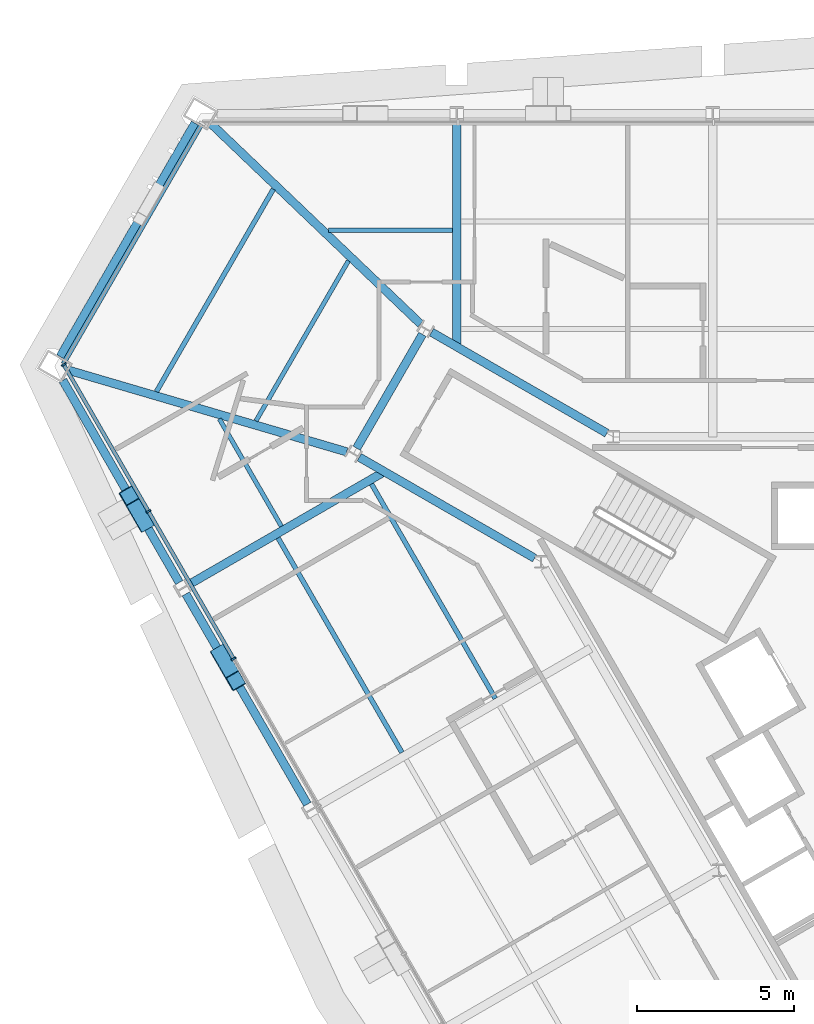
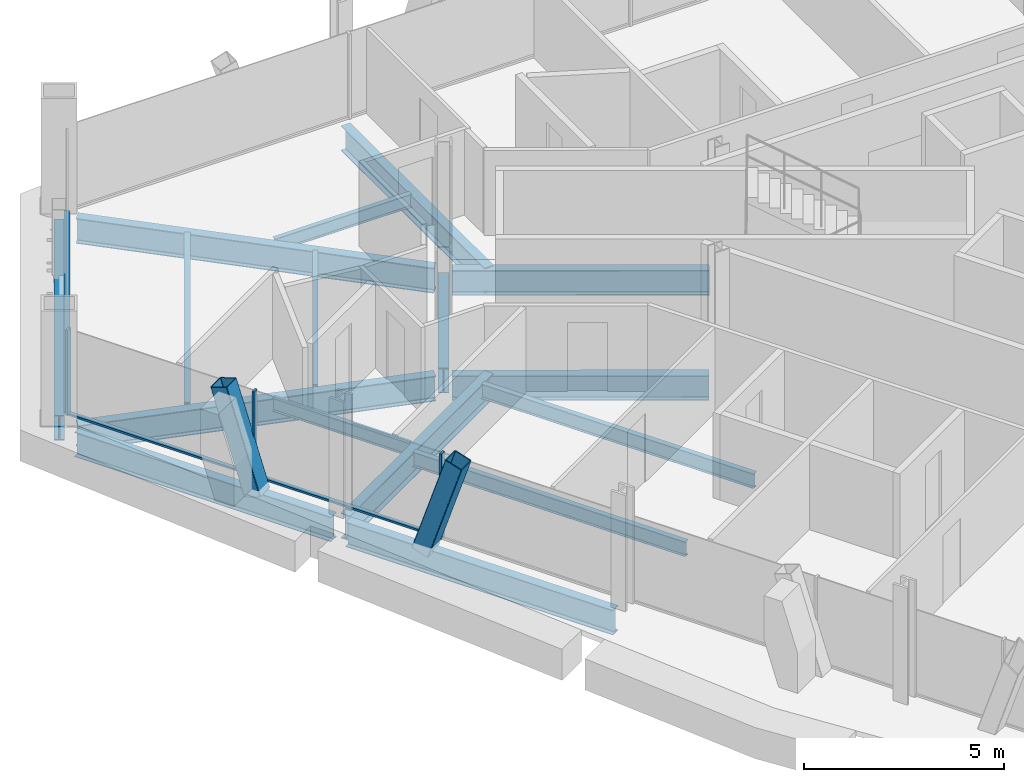
# One storey, part 7 of 19: 16 beams, 8 members, 2 elements without a shape of their own.
"""IFC4 building model written with IfcOpenShell, lengths in metres."""

from ifc_helpers import new_model, si_unit, direction, frame, origin, origin_2d, place, context, subcontext, project, spatial, rectangle, hollow_rectangle, i_section, extrude, material, material_profile, profile_set, type_object, element, aggregate, save


model = new_model("IFC4")

# Units and contexts
model_context = context("Model", 3, precision=1e-05, world=origin(), true_north=direction((0.0, 1.0)))
body_context = subcontext(model_context, "Body", "Model", "MODEL_VIEW")
ifc_project = project(units=[si_unit("LENGTHUNIT", "METRE"), si_unit("AREAUNIT", "SQUARE_METRE"), si_unit("VOLUMEUNIT", "CUBIC_METRE"), si_unit("PLANEANGLEUNIT", "RADIAN"), si_unit("MASSUNIT", "GRAM", prefix="KILO")], contexts=[model_context])

# Site, building, storey
site_placement = place(None, origin())
site = spatial("IfcSite", under=ifc_project, at=site_placement, CompositionType="ELEMENT")
building_placement = place(site_placement, origin())
building = spatial("IfcBuilding", under=site, at=building_placement, Name="Verrane Prism Tower", CompositionType="ELEMENT")
storey_placement = place(building_placement, frame((0.0, 0.0, 125.199951171875)))
storey = spatial("IfcBuildingStorey", under=building, at=storey_placement, Name="L30", CompositionType="ELEMENT", Elevation=125.199951171875)

# Beams
ifc_material_1 = material(Name="Steel A992", Category="steel")
ifc_material_profile_1 = material_profile(ifc_material_1, i_section(OverallWidth=0.2666015625, OverallDepth=0.76708984375, WebThickness=0.014892578125, FlangeThickness=0.023681640625, FilletRadius=0.0166015625, at=origin_2d()), Name="W30x124")
ifc_profile_set_1 = profile_set([ifc_material_profile_1], Name="Steel A992")
beam_type_1 = type_object("IfcBeamType", Name="Chamfer spandrel beam W30x124", PredefinedType="SPANDREL", material=ifc_profile_set_1)
beam_1_placement = place(storey_placement, frame((-24.64501953125, 19.18701171875, -0.54345703125), z_axis=(-0.499834903175, -0.866120701501, 0.0), x_axis=(0.866120701501, -0.499834903175, 0.0)))
element("IfcBeam", 1, at=beam_1_placement, inside=storey, type_object=beam_type_1, Name="Chamfer spandrel beam L30", PredefinedType="SPANDREL", context=body_context, shape_type="SweptSolid", body=[
    extrude(i_section(OverallWidth=0.2666015625, OverallDepth=0.76708984375, WebThickness=0.014892578125, FlangeThickness=0.023681640625, FilletRadius=0.0166015625, at=origin_2d()), origin(), (0.0, 0.0, 1.0), 8.5830078125),
])
ifc_material_2 = material(Name="Steel A992", Category="steel")
ifc_material_profile_2 = material_profile(ifc_material_2, i_section(OverallWidth=0.2666015625, OverallDepth=0.7568359375, WebThickness=0.013916015625, FlangeThickness=0.019287109375, FilletRadius=0.0166015625, at=origin_2d()), Name="W30x108")
ifc_profile_set_2 = profile_set([ifc_material_profile_2], Name="Steel A992")
beam_type_2 = type_object("IfcBeamType", Name="Core ring girder W30x108", PredefinedType="BEAM", material=ifc_profile_set_2)
beam_2_placement = place(storey_placement, frame((-11.53076171875, 9.315673828125, -0.62841796875), z_axis=(-0.866455532004, 0.499254254924, 0.0), x_axis=(-0.499254254924, -0.866455532004, 0.0)))
element("IfcBeam", 2, at=beam_2_placement, inside=storey, type_object=beam_type_2, Name="Core ring girder L30", PredefinedType="BEAM", context=body_context, shape_type="SweptSolid", body=[
    extrude(i_section(OverallWidth=0.2666015625, OverallDepth=0.7568359375, WebThickness=0.013916015625, FlangeThickness=0.019287109375, FilletRadius=0.0166015625, at=origin_2d()), origin(), (0.0, 0.0, 1.0), 6.441162109375),
])
beam_3_placement = place(storey_placement, frame((-17.40283203125, 12.4619140625, -0.62841796875), z_axis=(-0.500367003619, -0.865813410435, 0.0), x_axis=(0.865813410435, -0.500367003619, 0.0)))
element("IfcBeam", 3, at=beam_3_placement, inside=storey, type_object=beam_type_2, Name="Core ring girder L30", PredefinedType="BEAM", context=body_context, shape_type="SweptSolid", body=[
    extrude(i_section(OverallWidth=0.2666015625, OverallDepth=0.7568359375, WebThickness=0.013916015625, FlangeThickness=0.019287109375, FilletRadius=0.0166015625, at=origin_2d()), origin(), (0.0, 0.0, 1.0), 4.185302734375),
])
beam_4_placement = place(storey_placement, frame((-19.411865234375, 8.551513671875, -0.62841796875), z_axis=(0.866455532004, -0.499254254924, 0.0), x_axis=(0.499254254924, 0.866455532004, 0.0)))
element("IfcBeam", 4, at=beam_4_placement, inside=storey, type_object=beam_type_2, Name="Core ring girder L30", PredefinedType="BEAM", context=body_context, shape_type="SweptSolid", body=[
    extrude(i_section(OverallWidth=0.2666015625, OverallDepth=0.7568359375, WebThickness=0.013916015625, FlangeThickness=0.019287109375, FilletRadius=0.0166015625, at=origin_2d()), origin(), (0.0, 0.0, 1.0), 6.441162109375),
])
ifc_material_3 = material(Name="Steel A992", Category="steel")
ifc_material_profile_3 = material_profile(ifc_material_3, i_section(OverallWidth=0.2666015625, OverallDepth=0.76708984375, WebThickness=0.014892578125, FlangeThickness=0.023681640625, FilletRadius=0.0166015625, at=origin_2d()), Name="W30x124")
ifc_profile_set_3 = profile_set([ifc_material_profile_3], Name="Steel A992")
beam_type_3 = type_object("IfcBeamType", Name="Corner girder W30x124", PredefinedType="BEAM", material=ifc_profile_set_3)
beam_5_placement = place(storey_placement, frame((-24.135009765625, 19.170166015625, -0.603515625), z_axis=(0.723045594002, -0.690800310506, 0.0), x_axis=(0.690800310506, 0.723045594002, 0.0)))
element("IfcBeam", 5, at=beam_5_placement, inside=storey, type_object=beam_type_3, Name="Corner girder L30", PredefinedType="BEAM", context=body_context, shape_type="SweptSolid", body=[
    extrude(i_section(OverallWidth=0.2666015625, OverallDepth=0.76708984375, WebThickness=0.014892578125, FlangeThickness=0.023681640625, FilletRadius=0.0166015625, at=origin_2d()), origin(), (0.0, 0.0, 1.0), 9.2294921875),
])
beam_6_placement = place(storey_placement, frame((-28.66552734375, 11.319580078125, -0.603515625), z_axis=(0.959558305514, -0.281509961313, 0.0), x_axis=(0.281509961313, 0.959558305514, 0.0)))
element("IfcBeam", 6, at=beam_6_placement, inside=storey, type_object=beam_type_3, Name="Corner girder L30", PredefinedType="BEAM", context=body_context, shape_type="SweptSolid", body=[
    extrude(i_section(OverallWidth=0.2666015625, OverallDepth=0.76708984375, WebThickness=0.014892578125, FlangeThickness=0.023681640625, FilletRadius=0.0166015625, at=origin_2d()), origin(), (0.0, 0.0, 1.0), 9.22412109375),
])

# Members
ifc_material_4 = material(Name="Steel A1085 Grade A", Category="steel")
ifc_material_profile_4 = material_profile(ifc_material_4, hollow_rectangle(XDim=0.508056640625, YDim=0.508056640625, WallThickness=0.025390625, InnerFilletRadius=0.0126953125, OuterFilletRadius=0.0380859375, at=origin_2d()), Name="HSS20x20x1")
ifc_profile_set_4 = profile_set([ifc_material_profile_4], Name="Steel A1085 Grade A")
member_type_1 = type_object("IfcMemberType", Name="Facade brace HSS20x20x1", PredefinedType="BRACE", material=ifc_profile_set_4)
member_1_placement = place(storey_placement, frame((-26.25048828125, 6.48291015625, -0.242431640625), z_axis=(-0.153736249276, 0.266934311274, 0.951373343711), x_axis=(-0.866556757251, -0.49907853737, 0.0)))
element("IfcMember", 7, at=member_1_placement, inside=storey, type_object=member_type_1, Name="Facade brace SW0 L30", PredefinedType="BRACE", context=body_context, shape_type="SweptSolid", body=[
    extrude(hollow_rectangle(XDim=0.508056640625, YDim=0.508056640625, WallThickness=0.025390625, InnerFilletRadius=0.0126953125, OuterFilletRadius=0.0380859375, at=origin_2d()), origin(), (0.0, 0.0, 1.0), 3.161865234375),
])
member_2_placement = place(storey_placement, frame((-23.826416015625, 2.280029296875, -0.242431640625), z_axis=(0.154053654458, -0.266563015132, 0.951426103548), x_axis=(0.865809537846, 0.50037370452, 0.0)))
element("IfcMember", 8, at=member_2_placement, inside=storey, type_object=member_type_1, Name="Facade brace SW1 L30", PredefinedType="BRACE", context=body_context, shape_type="SweptSolid", body=[
    extrude(hollow_rectangle(XDim=0.508056640625, YDim=0.508056640625, WallThickness=0.025390625, InnerFilletRadius=0.0126953125, OuterFilletRadius=0.0380859375, at=origin_2d()), origin(), (0.0, 0.0, 1.0), 3.16162109375),
])

# Beams
ifc_material_5 = material(Name="Steel A992", Category="steel")
ifc_material_profile_5 = material_profile(ifc_material_5, i_section(OverallWidth=0.140380859375, OverallDepth=0.40380859375, WebThickness=0.007080078125, FlangeThickness=0.01123046875, FilletRadius=0.01025390625, at=origin_2d()), Name="W16x31")
ifc_profile_set_5 = profile_set([ifc_material_profile_5], Name="Steel A992")
beam_type_4 = type_object("IfcBeamType", Name="Floor beam W16x31", PredefinedType="BEAM", material=ifc_profile_set_5)
beam_7_placement = place(storey_placement, frame((-20.393310546875, 15.780029296875, -0.36181640625), z_axis=(1.0, 0.0, 0.0), x_axis=(0.0, 1.0, 0.0)))
element("IfcBeam", 9, at=beam_7_placement, inside=storey, type_object=beam_type_4, Name="Floor beam L30", PredefinedType="BEAM", context=body_context, shape_type="SweptSolid", body=[
    extrude(i_section(OverallWidth=0.140380859375, OverallDepth=0.40380859375, WebThickness=0.007080078125, FlangeThickness=0.01123046875, FilletRadius=0.01025390625, at=origin_2d()), origin(), (0.0, 0.0, 1.0), 3.94970703125),
])
beam_8_placement = place(storey_placement, frame((-21.891845703125, 6.3505859375, -0.36181640625), z_axis=(-0.499986281351, 0.866033324105, 0.0), x_axis=(-0.866033324105, -0.499986281351, 0.0)))
element("IfcBeam", 10, at=beam_8_placement, inside=storey, type_object=beam_type_4, Name="Floor beam L30", PredefinedType="BEAM", context=body_context, shape_type="SweptSolid", body=[
    extrude(i_section(OverallWidth=0.140380859375, OverallDepth=0.40380859375, WebThickness=0.007080078125, FlangeThickness=0.01123046875, FilletRadius=0.01025390625, at=origin_2d()), origin(), (0.0, 0.0, 1.0), 3.95166015625),
])
beam_9_placement = place(storey_placement, frame((-22.70068359375, 9.708740234375, -0.36181640625), z_axis=(0.500003813253, 0.866023202191, 0.0), x_axis=(-0.866023202191, 0.500003813253, 0.0)))
element("IfcBeam", 11, at=beam_9_placement, inside=storey, type_object=beam_type_4, Name="Floor beam L30", PredefinedType="BEAM", context=body_context, shape_type="SweptSolid", body=[
    extrude(i_section(OverallWidth=0.140380859375, OverallDepth=0.40380859375, WebThickness=0.007080078125, FlangeThickness=0.01123046875, FilletRadius=0.01025390625, at=origin_2d()), origin(), (0.0, 0.0, 1.0), 5.8837890625),
])
ifc_material_6 = material(Name="Steel A992", Category="steel")
ifc_material_profile_6 = material_profile(ifc_material_6, i_section(OverallWidth=0.15234375, OverallDepth=0.449462890625, WebThickness=0.007568359375, FlangeThickness=0.0107421875, FilletRadius=0.01025390625, at=origin_2d()), Name="W18x35")
ifc_profile_set_6 = profile_set([ifc_material_profile_6], Name="Steel A992")
beam_type_5 = type_object("IfcBeamType", Name="Floor beam W18x35", PredefinedType="BEAM", material=ifc_profile_set_6)
beam_10_placement = place(storey_placement, frame((-15.0810546875, 0.868408203125, -0.384765625), z_axis=(-0.499998505031, 0.866026266903, 0.0), x_axis=(-0.866026266903, -0.499998505031, 0.0)))
element("IfcBeam", 12, at=beam_10_placement, inside=storey, type_object=beam_type_5, Name="Floor beam L30", PredefinedType="BEAM", context=body_context, shape_type="SweptSolid", body=[
    extrude(i_section(OverallWidth=0.15234375, OverallDepth=0.449462890625, WebThickness=0.007568359375, FlangeThickness=0.0107421875, FilletRadius=0.01025390625, at=origin_2d()), origin(), (0.0, 0.0, 1.0), 7.88525390625),
])
beam_11_placement = place(storey_placement, frame((-18.055419921875, -0.848876953125, -0.384765625), z_axis=(-0.500004726595, 0.866022674866, 0.0), x_axis=(-0.866022674866, -0.500004726595, 0.0)))
element("IfcBeam", 13, at=beam_11_placement, inside=storey, type_object=beam_type_5, Name="Floor beam L30", PredefinedType="BEAM", context=body_context, shape_type="SweptSolid", body=[
    extrude(i_section(OverallWidth=0.15234375, OverallDepth=0.449462890625, WebThickness=0.007568359375, FlangeThickness=0.0107421875, FilletRadius=0.01025390625, at=origin_2d()), origin(), (0.0, 0.0, 1.0), 7.88623046875),
])
beam_12_placement = place(storey_placement, frame((-25.871826171875, 10.63916015625, -0.384765625), z_axis=(0.500011000363, 0.866019052629, 0.0), x_axis=(-0.866019052629, 0.500011000363, 0.0)))
element("IfcBeam", 14, at=beam_12_placement, inside=storey, type_object=beam_type_5, Name="Floor beam L30", PredefinedType="BEAM", context=body_context, shape_type="SweptSolid", body=[
    extrude(i_section(OverallWidth=0.15234375, OverallDepth=0.449462890625, WebThickness=0.007568359375, FlangeThickness=0.0107421875, FilletRadius=0.01025390625, at=origin_2d()), origin(), (0.0, 0.0, 1.0), 7.446044921875),
])

# Curtain wall, members
ifc_material_7 = material(Name="Aluminium framed insulated glazing", Category="aluminium")
curtain_wall_type_1 = type_object("IfcCurtainWallType", Name="Curtain wall CW-B 5600 module", PredefinedType="NOTDEFINED", material=ifc_material_7)
curtain_wall_1_placement = place(storey_placement, origin())
curtain_wall_1 = element("IfcCurtainWall", 15, at=curtain_wall_1_placement, inside=storey, type_object=curtain_wall_type_1, Name="Glazed curtain wall south-west face L30", PredefinedType="NOTDEFINED")
ifc_material_8 = material(Name="Aluminium alloy 6063-T6", Category="aluminium")
ifc_material_profile_7 = material_profile(ifc_material_8, rectangle(XDim=0.159912109375, YDim=0.06005859375, at=origin_2d()), Name="Mullion 60x160 aluminium")
ifc_profile_set_7 = profile_set([ifc_material_profile_7], Name="Aluminium alloy 6063-T6")
member_type_2 = type_object("IfcMemberType", Name="Mullion 60x160 aluminium", PredefinedType="MULLION", material=ifc_profile_set_7)
member_3_placement = place(storey_placement, frame((-28.821533203125, 11.498291015625, 0.0), z_axis=(0.0, 0.0, 1.0), x_axis=(0.866025327793, 0.500000131621, 0.0)))
member_3 = element("IfcMember", 16, at=member_3_placement, type_object=member_type_2, Name="CW29.4 mullion 1", PredefinedType="MULLION", context=body_context, shape_type="SweptSolid", body=[
    extrude(rectangle(XDim=0.159912109375, YDim=0.06005859375, at=origin_2d()), origin(), (0.0, 0.0, 1.0), 2.613037109375),
])
member_4_placement = place(storey_placement, frame((-26.12548828125, 6.828857421875, 0.0), z_axis=(0.0, 0.0, 1.0), x_axis=(0.866025327793, 0.500000131621, 0.0)))
member_4 = element("IfcMember", 17, at=member_4_placement, type_object=member_type_2, Name="CW29.4 mullion 2", PredefinedType="MULLION", context=body_context, shape_type="SweptSolid", body=[
    extrude(rectangle(XDim=0.159912109375, YDim=0.06005859375, at=origin_2d()), origin(), (0.0, 0.0, 1.0), 2.613037109375),
])
member_5_placement = place(storey_placement, frame((-23.41455078125, 2.13330078125, 0.0), z_axis=(0.0, 0.0, 1.0), x_axis=(0.866025327793, 0.500000131621, 0.0)))
member_5 = element("IfcMember", 18, at=member_5_placement, type_object=member_type_2, Name="CW29.4 mullion 3", PredefinedType="MULLION", context=body_context, shape_type="SweptSolid", body=[
    extrude(rectangle(XDim=0.159912109375, YDim=0.06005859375, at=origin_2d()), origin(), (0.0, 0.0, 1.0), 2.613037109375),
])

# Beams
ifc_material_9 = material(Name="Steel A992", Category="steel")
ifc_material_profile_8 = material_profile(ifc_material_9, i_section(OverallWidth=0.2666015625, OverallDepth=0.76708984375, WebThickness=0.014892578125, FlangeThickness=0.023681640625, FilletRadius=0.0166015625, at=origin_2d()), Name="W30x124")
ifc_profile_set_8 = profile_set([ifc_material_profile_8], Name="Steel A992")
beam_type_6 = type_object("IfcBeamType", Name="Radial girder W30x124", PredefinedType="BEAM", material=ifc_profile_set_8)
beam_13_placement = place(storey_placement, frame((-16.31005859375, 19.2626953125, -0.603515625), z_axis=(0.0, -1.0, 0.0), x_axis=(1.0, 0.0, 0.0)))
element("IfcBeam", 19, at=beam_13_placement, inside=storey, type_object=beam_type_6, Name="Radial girder L30", PredefinedType="BEAM", context=body_context, shape_type="SweptSolid", body=[
    extrude(i_section(OverallWidth=0.2666015625, OverallDepth=0.76708984375, WebThickness=0.014892578125, FlangeThickness=0.023681640625, FilletRadius=0.0166015625, at=origin_2d()), origin(), (0.0, 0.0, 1.0), 7.193115234375),
])
beam_14_placement = place(storey_placement, frame((-24.843017578125, 4.49365234375, -0.603515625), z_axis=(0.866018882953, 0.500011294241, 0.0), x_axis=(-0.500011294241, 0.866018882953, 0.0)))
element("IfcBeam", 20, at=beam_14_placement, inside=storey, type_object=beam_type_6, Name="Radial girder L30", PredefinedType="BEAM", context=body_context, shape_type="SweptSolid", body=[
    extrude(i_section(OverallWidth=0.2666015625, OverallDepth=0.76708984375, WebThickness=0.014892578125, FlangeThickness=0.023681640625, FilletRadius=0.0166015625, at=origin_2d()), origin(), (0.0, 0.0, 1.0), 7.194580078125),
])
ifc_material_10 = material(Name="Steel A992", Category="steel")
ifc_material_profile_9 = material_profile(ifc_material_10, i_section(OverallWidth=0.2666015625, OverallDepth=0.7568359375, WebThickness=0.013916015625, FlangeThickness=0.019287109375, FilletRadius=0.0166015625, at=origin_2d()), Name="W30x108")
ifc_profile_set_9 = profile_set([ifc_material_profile_9], Name="Steel A992")
beam_type_7 = type_object("IfcBeamType", Name="Spandrel beam W30x108", PredefinedType="SPANDREL", material=ifc_profile_set_9)
beam_15_placement = place(storey_placement, frame((-28.8505859375, 10.999267578125, -0.538330078125), z_axis=(0.498911336426, -0.866653032294, 0.0), x_axis=(0.866653032294, 0.498911336426, 0.0)))
element("IfcBeam", 21, at=beam_15_placement, inside=storey, type_object=beam_type_7, Name="Spandrel beam L30", PredefinedType="SPANDREL", context=body_context, shape_type="SweptSolid", body=[
    extrude(i_section(OverallWidth=0.2666015625, OverallDepth=0.7568359375, WebThickness=0.013916015625, FlangeThickness=0.019287109375, FilletRadius=0.0166015625, at=origin_2d()), origin(), (0.0, 0.0, 1.0), 7.42822265625),
])
beam_16_placement = place(storey_placement, frame((-24.93505859375, 4.198486328125, -0.538330078125), z_axis=(0.500348062424, -0.86582435657, 0.0), x_axis=(0.86582435657, 0.500348062424, 0.0)))
element("IfcBeam", 22, at=beam_16_placement, inside=storey, type_object=beam_type_7, Name="Spandrel beam L30", PredefinedType="SPANDREL", context=body_context, shape_type="SweptSolid", body=[
    extrude(i_section(OverallWidth=0.2666015625, OverallDepth=0.7568359375, WebThickness=0.013916015625, FlangeThickness=0.019287109375, FilletRadius=0.0166015625, at=origin_2d()), origin(), (0.0, 0.0, 1.0), 7.73486328125),
])

# Member
ifc_material_11 = material(Name="Aluminium alloy 6063-T6", Category="aluminium")
ifc_material_profile_10 = material_profile(ifc_material_11, rectangle(XDim=0.1201171875, YDim=0.06005859375, at=origin_2d()), Name="Transom 60x120 aluminium")
ifc_profile_set_10 = profile_set([ifc_material_profile_10], Name="Aluminium alloy 6063-T6")
member_type_3 = type_object("IfcMemberType", Name="Transom 60x120 aluminium", PredefinedType="USERDEFINED", material=ifc_profile_set_10)
member_6_placement = place(storey_placement, frame((-28.806396484375, 11.472412109375, 0.030029296875), z_axis=(0.499965555435, -0.86604528945, 0.0), x_axis=(0.86604528945, 0.499965555435, 0.0)))
member_6 = element("IfcMember", 23, at=member_6_placement, type_object=member_type_3, Name="CW29.4 transom 1", ObjectType="TRANSOM", PredefinedType="USERDEFINED", context=body_context, shape_type="SweptSolid", body=[
    extrude(rectangle(XDim=0.1201171875, YDim=0.06005859375, at=origin_2d()), origin(), (0.0, 0.0, 1.0), 5.33203125),
])

member_7_placement = place(storey_placement, frame((-26.110595703125, 6.802734375, 0.030029296875), z_axis=(0.499993097703, -0.866029388791, 0.0), x_axis=(0.866029388791, 0.499993097703, 0.0)))
member_7 = element("IfcMember", 24, at=member_7_placement, type_object=member_type_3, Name="CW29.4 transom 2", ObjectType="TRANSOM", PredefinedType="USERDEFINED", context=body_context, shape_type="SweptSolid", body=[
    extrude(rectangle(XDim=0.1201171875, YDim=0.06005859375, at=origin_2d()), origin(), (0.0, 0.0, 1.0), 5.36181640625),
])

aggregate(curtain_wall_1, [member_3, member_4, member_5, member_6, member_7])

# Curtain wall, member
ifc_material_12 = material(Name="Aluminium framed insulated glazing", Category="aluminium")
curtain_wall_type_2 = type_object("IfcCurtainWallType", Name="Curtain wall CW-A 8400 module", PredefinedType="NOTDEFINED", material=ifc_material_12)
curtain_wall_2_placement = place(storey_placement, origin())
curtain_wall_2 = element("IfcCurtainWall", 25, at=curtain_wall_2_placement, inside=storey, type_object=curtain_wall_type_2, Name="Glazed curtain wall north-west corner L30", PredefinedType="NOTDEFINED")
ifc_material_13 = material(Name="Aluminium alloy 6063-T6", Category="aluminium")
ifc_material_profile_11 = material_profile(ifc_material_13, rectangle(XDim=0.14990234375, YDim=0.070068359375, at=origin_2d()), Name="Transom 70x150 aluminium")
ifc_profile_set_11 = profile_set([ifc_material_profile_11], Name="Aluminium alloy 6063-T6")
member_type_4 = type_object("IfcMemberType", Name="Transom 70x150 aluminium", PredefinedType="USERDEFINED", material=ifc_profile_set_11)
member_8_placement = place(storey_placement, frame((-24.43359375, 19.150390625, 0.03515625), z_axis=(-0.499997650106, -0.866026760492, 0.0), x_axis=(0.866026760492, -0.499997650106, 0.0)))
member_8 = element("IfcMember", 26, at=member_8_placement, type_object=member_type_4, Name="CW29.3 transom 1", ObjectType="TRANSOM", PredefinedType="USERDEFINED", context=body_context, shape_type="SweptSolid", body=[
    extrude(rectangle(XDim=0.14990234375, YDim=0.070068359375, at=origin_2d()), origin(), (0.0, 0.0, 1.0), 8.8056640625),
])
aggregate(curtain_wall_2, [member_8])

save(model, "model.ifc")
